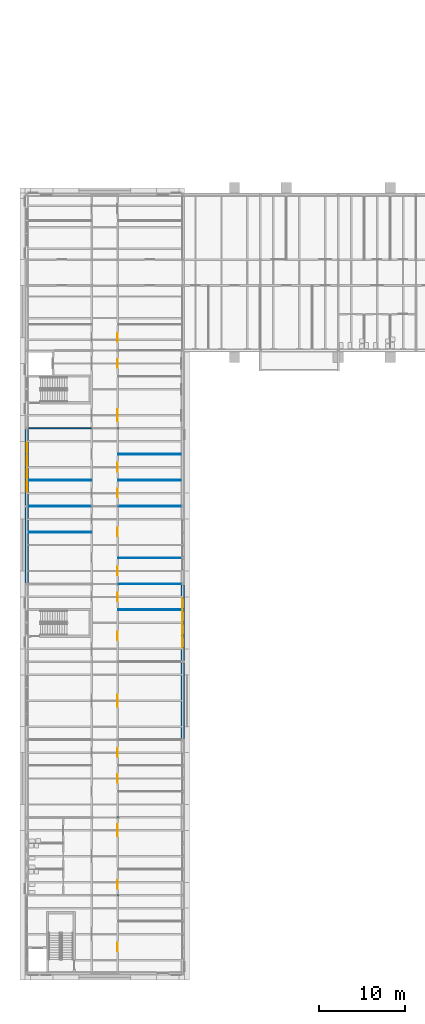
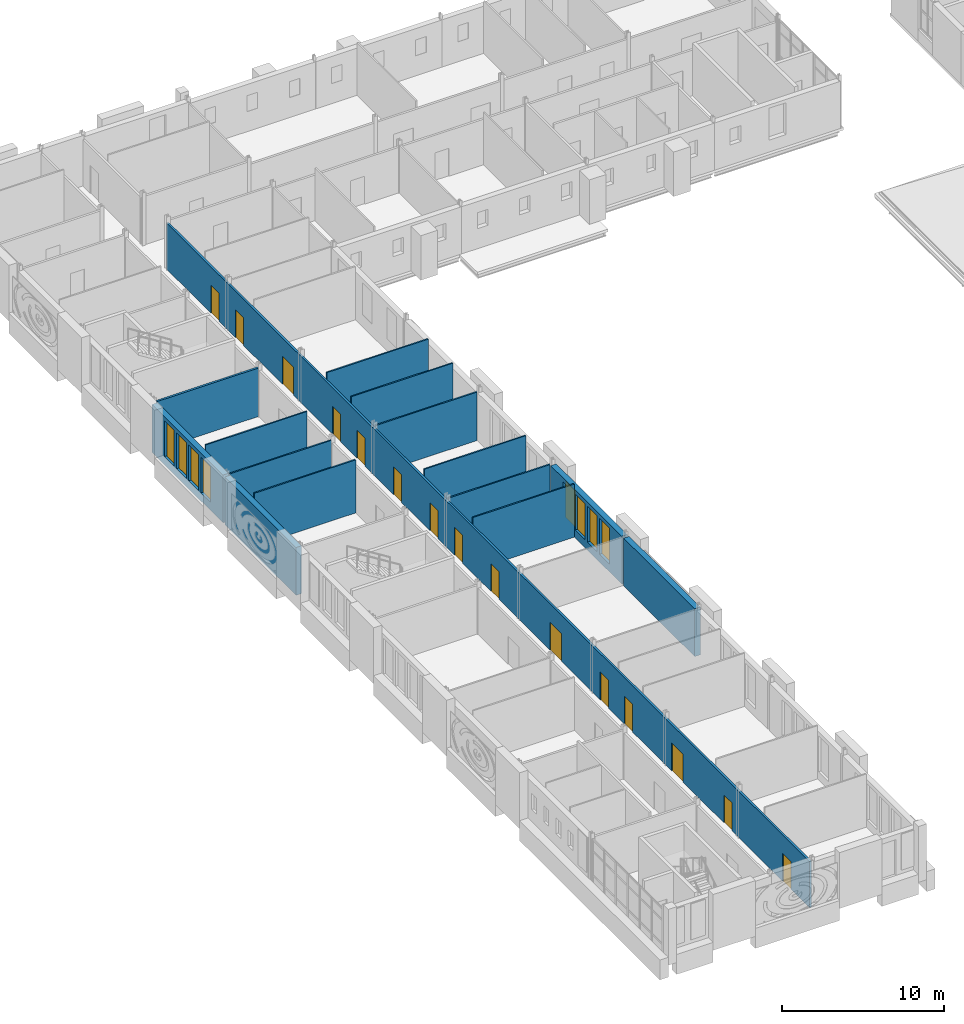
# One storey, part 89 of 121: 15 doors, 15 walls, 8 windows, 23 openings.
"""IFC4 building model written with IfcOpenShell, lengths in metres."""

from ifc_helpers import new_model, si_unit, direction, frame, frame_2d, origin, place, context, subcontext, project, spatial, rectangle, extrude, material, layer, layer_set, type_object, element, fill, save


model = new_model("IFC4")

# Units and contexts
model_context = context("Model", 3, precision=1e-05, world=origin(), true_north=direction((0.0, 1.0)))
body_context = subcontext(model_context, "Body", "Model", "MODEL_VIEW")
ifc_project = project(units=[si_unit("LENGTHUNIT", "METRE"), si_unit("AREAUNIT", "SQUARE_METRE"), si_unit("VOLUMEUNIT", "CUBIC_METRE"), si_unit("PLANEANGLEUNIT", "RADIAN"), si_unit("MASSUNIT", "GRAM", prefix="KILO")], contexts=[model_context])

# Site, building, storey
site_placement = place(None, origin())
site = spatial("IfcSite", under=ifc_project, at=site_placement, CompositionType="ELEMENT")
building_placement = place(site_placement, origin())
building = spatial("IfcBuilding", under=site, at=building_placement, Name="Golden Quay Civic Hall", CompositionType="ELEMENT")
storey_placement = place(building_placement, frame((0.0, 0.0, 18.60009765625)))
storey = spatial("IfcBuildingStorey", under=building, at=storey_placement, Name="L04", CompositionType="ELEMENT", Elevation=18.60009765625)

# Walls
ifc_material_1 = material(Name="Plasterboard on steel studs", Category="steel")
ifc_layer_1 = layer(ifc_material_1, 0.10009765625)
ifc_layer_set_1 = layer_set([ifc_layer_1], Name="Partition 100 stud")
wall_type_1 = type_object("IfcWallType", Name="Partition 100 stud", PredefinedType="PARTITIONING", material=ifc_layer_set_1)
wall_1_placement = place(storey_placement, frame((0.199951171875, 42.0, 0.0), z_axis=(0.0, 0.0, 1.0), x_axis=(1.0, 0.0, 0.0)))
element("IfcWall", 1, at=wall_1_placement, inside=storey, type_object=wall_type_1, Name="Partition L04-005", PredefinedType="PARTITIONING", context=body_context, shape_type="SweptSolid", body=[
    extrude(rectangle(XDim=7.22509765625, YDim=0.10009765625, at=frame_2d((3.612548828125, 0.0))), origin(), (0.0, 0.0, 1.0), 4.0),
])
wall_2_placement = place(storey_placement, frame((0.199951171875, 45.0, 0.0), z_axis=(0.0, 0.0, 1.0), x_axis=(1.0, 0.0, 0.0)))
element("IfcWall", 2, at=wall_2_placement, inside=storey, type_object=wall_type_1, Name="Partition L04-006", PredefinedType="PARTITIONING", context=body_context, shape_type="SweptSolid", body=[
    extrude(rectangle(XDim=7.22509765625, YDim=0.10009765625, at=frame_2d((3.612548828125, 0.0))), origin(), (0.0, 0.0, 1.0), 3.64990234375),
])
for number, where, z_axis, x_axis, name in (
    (3, (0.199951171875, 48.0, 0.0), (0.0, 0.0, 1.0), (1.0, 0.0, 0.0), "Partition L04-007"),
    (4, (10.574951171875, 33.0, 0.0), (0.0, 0.0, 1.0), (1.0, 0.0, 0.0), "Partition L04-015"),
):
    element("IfcWall", number, at=place(storey_placement, frame(where, z_axis=z_axis, x_axis=x_axis)), inside=storey, type_object=wall_type_1, Name=name, PredefinedType="PARTITIONING", context=body_context, shape_type="SweptSolid", body=[
        extrude(rectangle(XDim=7.22509765625, YDim=0.10009765625, at=frame_2d((3.612548828125, 0.0))), origin(), (0.0, 0.0, 1.0), 4.0),
    ])
wall_3_placement = place(storey_placement, frame((10.574951171875, 36.0, 0.0), z_axis=(0.0, 0.0, 1.0), x_axis=(1.0, 0.0, 0.0)))
element("IfcWall", 5, at=wall_3_placement, inside=storey, type_object=wall_type_1, Name="Partition L04-016", PredefinedType="PARTITIONING", context=body_context, shape_type="SweptSolid", body=[
    extrude(rectangle(XDim=7.22509765625, YDim=0.10009765625, at=frame_2d((3.612548828125, 0.0))), origin(), (0.0, 0.0, 1.0), 3.64990234375),
])
wall_4_placement = place(storey_placement, frame((10.574951171875, 39.0, 0.0), z_axis=(0.0, 0.0, 1.0), x_axis=(1.0, 0.0, 0.0)))
element("IfcWall", 6, at=wall_4_placement, inside=storey, type_object=wall_type_1, Name="Partition L04-017", PredefinedType="PARTITIONING", context=body_context, shape_type="SweptSolid", body=[
    extrude(rectangle(XDim=7.22509765625, YDim=0.10009765625, at=frame_2d((3.612548828125, 0.0))), origin(), (0.0, 0.0, 1.0), 4.0),
])
wall_5_placement = place(storey_placement, frame((10.574951171875, 45.0, 0.0), z_axis=(0.0, 0.0, 1.0), x_axis=(1.0, 0.0, 0.0)))
element("IfcWall", 7, at=wall_5_placement, inside=storey, type_object=wall_type_1, Name="Partition L04-018", PredefinedType="PARTITIONING", context=body_context, shape_type="SweptSolid", body=[
    extrude(rectangle(XDim=7.22509765625, YDim=0.10009765625, at=frame_2d((3.612548828125, 0.0))), origin(), (0.0, 0.0, 1.0), 3.64990234375),
])
for number, where, z_axis, x_axis, name in (
    (8, (10.574951171875, 48.0, 0.0), (0.0, 0.0, 1.0), (1.0, 0.0, 0.0), "Partition L04-019"),
    (9, (10.574951171875, 51.0, 0.0), (0.0, 0.0, 1.0), (1.0, 0.0, 0.0), "Partition L04-020"),
):
    element("IfcWall", number, at=place(storey_placement, frame(where, z_axis=z_axis, x_axis=x_axis)), inside=storey, type_object=wall_type_1, Name=name, PredefinedType="PARTITIONING", context=body_context, shape_type="SweptSolid", body=[
        extrude(rectangle(XDim=7.22509765625, YDim=0.10009765625, at=frame_2d((3.612548828125, 0.0))), origin(), (0.0, 0.0, 1.0), 4.0),
    ])
ifc_material_2 = material(Name="Plasterboard on steel studs", Category="steel")
ifc_layer_2 = layer(ifc_material_2, 0.14990234375)
ifc_layer_set_2 = layer_set([ifc_layer_2], Name="Partition 150 stud fire EI 60")
wall_type_2 = type_object("IfcWallType", Name="Partition 150 stud fire EI 60", PredefinedType="PARTITIONING", material=ifc_layer_set_2)
wall_6_placement = place(storey_placement, frame((0.199951171875, 54.0, 0.0), z_axis=(0.0, 0.0, 1.0), x_axis=(1.0, 0.0, 0.0)))
element("IfcWall", 10, at=wall_6_placement, inside=storey, type_object=wall_type_2, Name="Partition L04-008", PredefinedType="PARTITIONING", context=body_context, shape_type="SweptSolid", body=[
    extrude(rectangle(XDim=7.22509765625, YDim=0.14990234375, at=frame_2d((3.612548828125, 0.0))), origin(), (0.0, 0.0, 1.0), 3.64990234375),
])

# Wall, openings, doors
wall_7_placement = place(storey_placement, frame((10.5, -8.800048828125, 0.0), z_axis=(0.0, 0.0, 1.0), x_axis=(0.0, 1.0, 0.0)))
wall_7 = element("IfcWall", 11, at=wall_7_placement, inside=storey, type_object=wall_type_2, Name="Partition L04-026", PredefinedType="PARTITIONING", context=body_context, shape_type="SweptSolid", body=[
    extrude(rectangle(XDim=79.300048828125, YDim=0.14990234375, at=frame_2d((39.64990234375, 0.0))), origin(), (0.0, 0.0, 1.0), 3.47998046875),
])
opening_1_placement = place(wall_7_placement, frame((2.300048828125, 0.0, 0.0)))
opening_1 = element("IfcOpeningElement", 12, at=opening_1_placement, cuts=wall_7, Name="Opening L04-D008", PredefinedType="OPENING", context=body_context, shape_type="SweptSolid", body=[
    extrude(rectangle(XDim=1.0, YDim=2.10009765625, at=frame_2d((0.5, 1.050048828125))), frame((0.0, 0.0849609375, 0.0), z_axis=(0.0, -1.0, 0.0), x_axis=(1.0, 0.0, 0.0)), (0.0, 0.0, 1.0), 0.169921875),
])
opening_2_placement = place(wall_7_placement, frame((9.550048828125, 0.0, 0.0)))
opening_2 = element("IfcOpeningElement", 13, at=opening_2_placement, cuts=wall_7, Name="Opening L04-D009", PredefinedType="OPENING", context=body_context, shape_type="SweptSolid", body=[
    extrude(rectangle(XDim=1.0, YDim=2.10009765625, at=frame_2d((0.5, 1.050048828125))), frame((0.0, 0.0849609375, 0.0), z_axis=(0.0, -1.0, 0.0), x_axis=(1.0, 0.0, 0.0)), (0.0, 0.0, 1.0), 0.169921875),
])
opening_3_placement = place(wall_7_placement, frame((15.60009765625, 0.0, 0.0)))
opening_3 = element("IfcOpeningElement", 14, at=opening_3_placement, cuts=wall_7, Name="Opening L04-D010", PredefinedType="OPENING", context=body_context, shape_type="SweptSolid", body=[
    extrude(rectangle(XDim=1.39990234375, YDim=2.10009765625, at=frame_2d((0.699951171875, 1.050048828125))), frame((0.0, 0.0849609375, 0.0), z_axis=(0.0, -1.0, 0.0), x_axis=(1.0, 0.0, 0.0)), (0.0, 0.0, 1.0), 0.169921875),
])
opening_4_placement = place(wall_7_placement, frame((21.800048828125, 0.0, 0.0)))
opening_4 = element("IfcOpeningElement", 15, at=opening_4_placement, cuts=wall_7, Name="Opening L04-D011", PredefinedType="OPENING", context=body_context, shape_type="SweptSolid", body=[
    extrude(rectangle(XDim=1.0, YDim=2.10009765625, at=frame_2d((0.5, 1.050048828125))), frame((0.0, 0.0849609375, 0.0), z_axis=(0.0, -1.0, 0.0), x_axis=(1.0, 0.0, 0.0)), (0.0, 0.0, 1.0), 0.169921875),
])
opening_5_placement = place(wall_7_placement, frame((24.800048828125, 0.0, 0.0)))
opening_5 = element("IfcOpeningElement", 16, at=opening_5_placement, cuts=wall_7, Name="Opening L04-D012", PredefinedType="OPENING", context=body_context, shape_type="SweptSolid", body=[
    extrude(rectangle(XDim=1.0, YDim=2.10009765625, at=frame_2d((0.5, 1.050048828125))), frame((0.0, 0.0849609375, 0.0), z_axis=(0.0, -1.0, 0.0), x_axis=(1.0, 0.0, 0.0)), (0.0, 0.0, 1.0), 0.169921875),
])
opening_6_placement = place(wall_7_placement, frame((30.60009765625, 0.0, 0.0)))
opening_6 = element("IfcOpeningElement", 17, at=opening_6_placement, cuts=wall_7, Name="Opening L04-D013", PredefinedType="OPENING", context=body_context, shape_type="SweptSolid", body=[
    extrude(rectangle(XDim=1.39990234375, YDim=2.10009765625, at=frame_2d((0.699951171875, 1.050048828125))), frame((0.0, 0.0849609375, 0.0), z_axis=(0.0, -1.0, 0.0), x_axis=(1.0, 0.0, 0.0)), (0.0, 0.0, 1.0), 0.169921875),
])
opening_7_placement = place(wall_7_placement, frame((38.300048828125, 0.0, 0.0)))
opening_7 = element("IfcOpeningElement", 18, at=opening_7_placement, cuts=wall_7, Name="Opening L04-D014", PredefinedType="OPENING", context=body_context, shape_type="SweptSolid", body=[
    extrude(rectangle(XDim=1.0, YDim=2.10009765625, at=frame_2d((0.5, 1.050048828125))), frame((0.0, 0.0849609375, 0.0), z_axis=(0.0, -1.0, 0.0), x_axis=(1.0, 0.0, 0.0)), (0.0, 0.0, 1.0), 0.169921875),
])
opening_8_placement = place(wall_7_placement, frame((42.800048828125, 0.0, 0.0)))
opening_8 = element("IfcOpeningElement", 19, at=opening_8_placement, cuts=wall_7, Name="Opening L04-D015", PredefinedType="OPENING", context=body_context, shape_type="SweptSolid", body=[
    extrude(rectangle(XDim=1.0, YDim=2.10009765625, at=frame_2d((0.5, 1.050048828125))), frame((0.0, 0.0849609375, 0.0), z_axis=(0.0, -1.0, 0.0), x_axis=(1.0, 0.0, 0.0)), (0.0, 0.0, 1.0), 0.169921875),
])
opening_9_placement = place(wall_7_placement, frame((45.800048828125, 0.0, 0.0)))
opening_9 = element("IfcOpeningElement", 20, at=opening_9_placement, cuts=wall_7, Name="Opening L04-D016", PredefinedType="OPENING", context=body_context, shape_type="SweptSolid", body=[
    extrude(rectangle(XDim=1.0, YDim=2.10009765625, at=frame_2d((0.5, 1.050048828125))), frame((0.0, 0.0849609375, 0.0), z_axis=(0.0, -1.0, 0.0), x_axis=(1.0, 0.0, 0.0)), (0.0, 0.0, 1.0), 0.169921875),
])
opening_10_placement = place(wall_7_placement, frame((50.300048828125, 0.0, 0.0)))
opening_10 = element("IfcOpeningElement", 21, at=opening_10_placement, cuts=wall_7, Name="Opening L04-D017", PredefinedType="OPENING", context=body_context, shape_type="SweptSolid", body=[
    extrude(rectangle(XDim=1.0, YDim=2.10009765625, at=frame_2d((0.5, 1.050048828125))), frame((0.0, 0.0849609375, 0.0), z_axis=(0.0, -1.0, 0.0), x_axis=(1.0, 0.0, 0.0)), (0.0, 0.0, 1.0), 0.169921875),
])
opening_11_placement = place(wall_7_placement, frame((54.800048828125, 0.0, 0.0)))
opening_11 = element("IfcOpeningElement", 22, at=opening_11_placement, cuts=wall_7, Name="Opening L04-D018", PredefinedType="OPENING", context=body_context, shape_type="SweptSolid", body=[
    extrude(rectangle(XDim=1.0, YDim=2.10009765625, at=frame_2d((0.5, 1.050048828125))), frame((0.0, 0.0849609375, 0.0), z_axis=(0.0, -1.0, 0.0), x_axis=(1.0, 0.0, 0.0)), (0.0, 0.0, 1.0), 0.169921875),
])
opening_12_placement = place(wall_7_placement, frame((57.800048828125, 0.0, 0.0)))
opening_12 = element("IfcOpeningElement", 23, at=opening_12_placement, cuts=wall_7, Name="Opening L04-D019", PredefinedType="OPENING", context=body_context, shape_type="SweptSolid", body=[
    extrude(rectangle(XDim=1.0, YDim=2.10009765625, at=frame_2d((0.5, 1.050048828125))), frame((0.0, 0.0849609375, 0.0), z_axis=(0.0, -1.0, 0.0), x_axis=(1.0, 0.0, 0.0)), (0.0, 0.0, 1.0), 0.169921875),
])
opening_13_placement = place(wall_7_placement, frame((63.60009765625, 0.0, 0.0)))
opening_13 = element("IfcOpeningElement", 24, at=opening_13_placement, cuts=wall_7, Name="Opening L04-D020", PredefinedType="OPENING", context=body_context, shape_type="SweptSolid", body=[
    extrude(rectangle(XDim=1.39990234375, YDim=2.10009765625, at=frame_2d((0.699951171875, 1.050048828125))), frame((0.0, 0.0849609375, 0.0), z_axis=(0.0, -1.0, 0.0), x_axis=(1.0, 0.0, 0.0)), (0.0, 0.0, 1.0), 0.169921875),
])
opening_14_placement = place(wall_7_placement, frame((69.800048828125, 0.0, 0.0)))
opening_14 = element("IfcOpeningElement", 25, at=opening_14_placement, cuts=wall_7, Name="Opening L04-D021", PredefinedType="OPENING", context=body_context, shape_type="SweptSolid", body=[
    extrude(rectangle(XDim=1.0, YDim=2.10009765625, at=frame_2d((0.5, 1.050048828125))), frame((0.0, 0.0849609375, 0.0), z_axis=(0.0, -1.0, 0.0), x_axis=(1.0, 0.0, 0.0)), (0.0, 0.0, 1.0), 0.169921875),
])
opening_15_placement = place(wall_7_placement, frame((72.800048828125, 0.0, 0.0)))
opening_15 = element("IfcOpeningElement", 26, at=opening_15_placement, cuts=wall_7, Name="Opening L04-D036", PredefinedType="OPENING", context=body_context, shape_type="SweptSolid", body=[
    extrude(rectangle(XDim=1.0, YDim=2.10009765625, at=frame_2d((0.5, 1.050048828125))), frame((0.0, 0.0849609375, 0.0), z_axis=(0.0, -1.0, 0.0), x_axis=(1.0, 0.0, 0.0)), (0.0, 0.0, 1.0), 0.169921875),
])
ifc_material_3 = material(Name="Steel", Category="steel")
door_type_1 = type_object("IfcDoorType", Name="Steel double fire door FD30S 1400 x 2100", OperationType="DOUBLE_DOOR_SINGLE_SWING", PredefinedType="DOOR", material=ifc_material_3)
door_1_placement = place(opening_3_placement, frame((1.39990234375, 0.0, 0.0), z_axis=(0.0, 0.0, 1.0), x_axis=(-1.0, 0.0, 0.0)))
door_1 = element("IfcDoor", 27, at=door_1_placement, inside=storey, type_object=door_type_1, Name="Door L04-D010", OperationType="DOUBLE_DOOR_SINGLE_SWING", OverallHeight=2.10009765625, OverallWidth=1.39990234375, PredefinedType="DOOR", context=body_context, shape_type="SweptSolid", body=[
    extrude(rectangle(XDim=1.39990234375, YDim=2.10009765625, at=frame_2d((0.699951171875, 1.050048828125))), frame((0.0, 0.025146484375, 0.0), z_axis=(0.0, -1.0, 0.0), x_axis=(1.0, 0.0, 0.0)), (0.0, 0.0, 1.0), 0.050048828125),
])
fill(opening_3, door_1)
door_2_placement = place(opening_6_placement, frame((1.39990234375, 0.0, 0.0), z_axis=(0.0, 0.0, 1.0), x_axis=(-1.0, 0.0, 0.0)))
door_2 = element("IfcDoor", 28, at=door_2_placement, inside=storey, type_object=door_type_1, Name="Door L04-D013", OperationType="DOUBLE_DOOR_SINGLE_SWING", OverallHeight=2.10009765625, OverallWidth=1.39990234375, PredefinedType="DOOR", context=body_context, shape_type="SweptSolid", body=[
    extrude(rectangle(XDim=1.39990234375, YDim=2.10009765625, at=frame_2d((0.699951171875, 1.050048828125))), frame((0.0, 0.025146484375, 0.0), z_axis=(0.0, -1.0, 0.0), x_axis=(1.0, 0.0, 0.0)), (0.0, 0.0, 1.0), 0.050048828125),
])
fill(opening_6, door_2)
door_3_placement = place(opening_13_placement, frame((1.39990234375, 0.0, 0.0), z_axis=(0.0, 0.0, 1.0), x_axis=(-1.0, 0.0, 0.0)))
door_3 = element("IfcDoor", 29, at=door_3_placement, inside=storey, type_object=door_type_1, Name="Door L04-D020", OperationType="DOUBLE_DOOR_SINGLE_SWING", OverallHeight=2.10009765625, OverallWidth=1.39990234375, PredefinedType="DOOR", context=body_context, shape_type="SweptSolid", body=[
    extrude(rectangle(XDim=1.39990234375, YDim=2.10009765625, at=frame_2d((0.699951171875, 1.050048828125))), frame((0.0, 0.025146484375, 0.0), z_axis=(0.0, -1.0, 0.0), x_axis=(1.0, 0.0, 0.0)), (0.0, 0.0, 1.0), 0.050048828125),
])
fill(opening_13, door_3)
ifc_material_4 = material(Name="Steel", Category="steel")
door_type_2 = type_object("IfcDoorType", Name="Steel fire door FD30S 1000 x 2100", OperationType="SINGLE_SWING_LEFT", PredefinedType="DOOR", material=ifc_material_4)
door_4_placement = place(opening_1_placement, frame((1.0, 0.0, 0.0), z_axis=(0.0, 0.0, 1.0), x_axis=(-1.0, 0.0, 0.0)))
door_4 = element("IfcDoor", 30, at=door_4_placement, inside=storey, type_object=door_type_2, Name="Door L04-D008", OperationType="SINGLE_SWING_RIGHT", OverallHeight=2.10009765625, OverallWidth=1.0, PredefinedType="DOOR", context=body_context, shape_type="SweptSolid", body=[
    extrude(rectangle(XDim=1.0, YDim=2.10009765625, at=frame_2d((0.5, 1.050048828125))), frame((0.0, 0.025146484375, 0.0), z_axis=(0.0, -1.0, 0.0), x_axis=(1.0, 0.0, 0.0)), (0.0, 0.0, 1.0), 0.050048828125),
])
fill(opening_1, door_4)
door_5_placement = place(opening_2_placement, frame((1.0, 0.0, 0.0), z_axis=(0.0, 0.0, 1.0), x_axis=(-1.0, 0.0, 0.0)))
door_5 = element("IfcDoor", 31, at=door_5_placement, inside=storey, type_object=door_type_2, Name="Door L04-D009", OperationType="SINGLE_SWING_RIGHT", OverallHeight=2.10009765625, OverallWidth=1.0, PredefinedType="DOOR", context=body_context, shape_type="SweptSolid", body=[
    extrude(rectangle(XDim=1.0, YDim=2.10009765625, at=frame_2d((0.5, 1.050048828125))), frame((0.0, 0.025146484375, 0.0), z_axis=(0.0, -1.0, 0.0), x_axis=(1.0, 0.0, 0.0)), (0.0, 0.0, 1.0), 0.050048828125),
])
fill(opening_2, door_5)
door_6_placement = place(opening_4_placement, frame((1.0, 0.0, 0.0), z_axis=(0.0, 0.0, 1.0), x_axis=(-1.0, 0.0, 0.0)))
door_6 = element("IfcDoor", 32, at=door_6_placement, inside=storey, type_object=door_type_2, Name="Door L04-D011", OperationType="SINGLE_SWING_RIGHT", OverallHeight=2.10009765625, OverallWidth=1.0, PredefinedType="DOOR", context=body_context, shape_type="SweptSolid", body=[
    extrude(rectangle(XDim=1.0, YDim=2.10009765625, at=frame_2d((0.5, 1.050048828125))), frame((0.0, 0.025146484375, 0.0), z_axis=(0.0, -1.0, 0.0), x_axis=(1.0, 0.0, 0.0)), (0.0, 0.0, 1.0), 0.050048828125),
])
fill(opening_4, door_6)
door_7_placement = place(opening_5_placement, frame((1.0, 0.0, 0.0), z_axis=(0.0, 0.0, 1.0), x_axis=(-1.0, 0.0, 0.0)))
door_7 = element("IfcDoor", 33, at=door_7_placement, inside=storey, type_object=door_type_2, Name="Door L04-D012", OperationType="SINGLE_SWING_RIGHT", OverallHeight=2.10009765625, OverallWidth=1.0, PredefinedType="DOOR", context=body_context, shape_type="SweptSolid", body=[
    extrude(rectangle(XDim=1.0, YDim=2.10009765625, at=frame_2d((0.5, 1.050048828125))), frame((0.0, 0.025146484375, 0.0), z_axis=(0.0, -1.0, 0.0), x_axis=(1.0, 0.0, 0.0)), (0.0, 0.0, 1.0), 0.050048828125),
])
fill(opening_5, door_7)
door_8_placement = place(opening_7_placement, frame((1.0, 0.0, 0.0), z_axis=(0.0, 0.0, 1.0), x_axis=(-1.0, 0.0, 0.0)))
door_8 = element("IfcDoor", 34, at=door_8_placement, inside=storey, type_object=door_type_2, Name="Door L04-D014", OperationType="SINGLE_SWING_RIGHT", OverallHeight=2.10009765625, OverallWidth=1.0, PredefinedType="DOOR", context=body_context, shape_type="SweptSolid", body=[
    extrude(rectangle(XDim=1.0, YDim=2.10009765625, at=frame_2d((0.5, 1.050048828125))), frame((0.0, 0.025146484375, 0.0), z_axis=(0.0, -1.0, 0.0), x_axis=(1.0, 0.0, 0.0)), (0.0, 0.0, 1.0), 0.050048828125),
])
fill(opening_7, door_8)
door_9_placement = place(opening_8_placement, frame((1.0, 0.0, 0.0), z_axis=(0.0, 0.0, 1.0), x_axis=(-1.0, 0.0, 0.0)))
door_9 = element("IfcDoor", 35, at=door_9_placement, inside=storey, type_object=door_type_2, Name="Door L04-D015", OperationType="SINGLE_SWING_RIGHT", OverallHeight=2.10009765625, OverallWidth=1.0, PredefinedType="DOOR", context=body_context, shape_type="SweptSolid", body=[
    extrude(rectangle(XDim=1.0, YDim=2.10009765625, at=frame_2d((0.5, 1.050048828125))), frame((0.0, 0.025146484375, 0.0), z_axis=(0.0, -1.0, 0.0), x_axis=(1.0, 0.0, 0.0)), (0.0, 0.0, 1.0), 0.050048828125),
])
fill(opening_8, door_9)
door_10_placement = place(opening_9_placement, frame((1.0, 0.0, 0.0), z_axis=(0.0, 0.0, 1.0), x_axis=(-1.0, 0.0, 0.0)))
door_10 = element("IfcDoor", 36, at=door_10_placement, inside=storey, type_object=door_type_2, Name="Door L04-D016", OperationType="SINGLE_SWING_RIGHT", OverallHeight=2.10009765625, OverallWidth=1.0, PredefinedType="DOOR", context=body_context, shape_type="SweptSolid", body=[
    extrude(rectangle(XDim=1.0, YDim=2.10009765625, at=frame_2d((0.5, 1.050048828125))), frame((0.0, 0.025146484375, 0.0), z_axis=(0.0, -1.0, 0.0), x_axis=(1.0, 0.0, 0.0)), (0.0, 0.0, 1.0), 0.050048828125),
])
fill(opening_9, door_10)
door_11_placement = place(opening_10_placement, frame((1.0, 0.0, 0.0), z_axis=(0.0, 0.0, 1.0), x_axis=(-1.0, 0.0, 0.0)))
door_11 = element("IfcDoor", 37, at=door_11_placement, inside=storey, type_object=door_type_2, Name="Door L04-D017", OperationType="SINGLE_SWING_RIGHT", OverallHeight=2.10009765625, OverallWidth=1.0, PredefinedType="DOOR", context=body_context, shape_type="SweptSolid", body=[
    extrude(rectangle(XDim=1.0, YDim=2.10009765625, at=frame_2d((0.5, 1.050048828125))), frame((0.0, 0.025146484375, 0.0), z_axis=(0.0, -1.0, 0.0), x_axis=(1.0, 0.0, 0.0)), (0.0, 0.0, 1.0), 0.050048828125),
])
fill(opening_10, door_11)
door_12_placement = place(opening_11_placement, frame((1.0, 0.0, 0.0), z_axis=(0.0, 0.0, 1.0), x_axis=(-1.0, 0.0, 0.0)))
door_12 = element("IfcDoor", 38, at=door_12_placement, inside=storey, type_object=door_type_2, Name="Door L04-D018", OperationType="SINGLE_SWING_RIGHT", OverallHeight=2.10009765625, OverallWidth=1.0, PredefinedType="DOOR", context=body_context, shape_type="SweptSolid", body=[
    extrude(rectangle(XDim=1.0, YDim=2.10009765625, at=frame_2d((0.5, 1.050048828125))), frame((0.0, 0.025146484375, 0.0), z_axis=(0.0, -1.0, 0.0), x_axis=(1.0, 0.0, 0.0)), (0.0, 0.0, 1.0), 0.050048828125),
])
fill(opening_11, door_12)
door_13_placement = place(opening_12_placement, frame((1.0, 0.0, 0.0), z_axis=(0.0, 0.0, 1.0), x_axis=(-1.0, 0.0, 0.0)))
door_13 = element("IfcDoor", 39, at=door_13_placement, inside=storey, type_object=door_type_2, Name="Door L04-D019", OperationType="SINGLE_SWING_RIGHT", OverallHeight=2.10009765625, OverallWidth=1.0, PredefinedType="DOOR", context=body_context, shape_type="SweptSolid", body=[
    extrude(rectangle(XDim=1.0, YDim=2.10009765625, at=frame_2d((0.5, 1.050048828125))), frame((0.0, 0.025146484375, 0.0), z_axis=(0.0, -1.0, 0.0), x_axis=(1.0, 0.0, 0.0)), (0.0, 0.0, 1.0), 0.050048828125),
])
fill(opening_12, door_13)
door_14_placement = place(opening_14_placement, frame((1.0, 0.0, 0.0), z_axis=(0.0, 0.0, 1.0), x_axis=(-1.0, 0.0, 0.0)))
door_14 = element("IfcDoor", 40, at=door_14_placement, inside=storey, type_object=door_type_2, Name="Door L04-D021", OperationType="SINGLE_SWING_RIGHT", OverallHeight=2.10009765625, OverallWidth=1.0, PredefinedType="DOOR", context=body_context, shape_type="SweptSolid", body=[
    extrude(rectangle(XDim=1.0, YDim=2.10009765625, at=frame_2d((0.5, 1.050048828125))), frame((0.0, 0.025146484375, 0.0), z_axis=(0.0, -1.0, 0.0), x_axis=(1.0, 0.0, 0.0)), (0.0, 0.0, 1.0), 0.050048828125),
])
fill(opening_14, door_14)
door_15_placement = place(opening_15_placement, frame((1.0, 0.0, 0.0), z_axis=(0.0, 0.0, 1.0), x_axis=(-1.0, 0.0, 0.0)))
door_15 = element("IfcDoor", 41, at=door_15_placement, inside=storey, type_object=door_type_2, Name="Door L04-D036", OperationType="SINGLE_SWING_RIGHT", OverallHeight=2.10009765625, OverallWidth=1.0, PredefinedType="DOOR", context=body_context, shape_type="SweptSolid", body=[
    extrude(rectangle(XDim=1.0, YDim=2.10009765625, at=frame_2d((0.5, 1.050048828125))), frame((0.0, 0.025146484375, 0.0), z_axis=(0.0, -1.0, 0.0), x_axis=(1.0, 0.0, 0.0)), (0.0, 0.0, 1.0), 0.050048828125),
])
fill(opening_15, door_15)

# Wall
ifc_material_5 = material(Name="Clay block, rendered, cream")
ifc_layer_3 = layer(ifc_material_5, 0.39990234375)
ifc_layer_set_3 = layer_set([ifc_layer_3], Name="Rendered block external wall 400")
wall_type_3 = type_object("IfcWallType", Name="Rendered block external wall 400", PredefinedType="STANDARD", material=ifc_layer_set_3)
wall_8_placement = place(storey_placement, frame((0.0, 36.114990234375, 0.0), z_axis=(0.0, 0.0, 1.0), x_axis=(0.0, 1.0, 0.0)))
element("IfcWall", 42, at=wall_8_placement, inside=storey, type_object=wall_type_3, Name="Rendered block external wall 400 L04 4", PredefinedType="STANDARD", context=body_context, shape_type="SweptSolid", body=[
    extrude(rectangle(XDim=8.77001953125, YDim=0.39990234375, at=frame_2d((4.385009765625, 0.0))), origin(), (0.0, 0.0, 1.0), 3.599853515625),
])

# Wall, openings, windows
wall_9_placement = place(storey_placement, frame((0.0, 45.114990234375, 0.0), z_axis=(0.0, 0.0, 1.0), x_axis=(0.0, 1.0, 0.0)))
wall_9 = element("IfcWall", 43, at=wall_9_placement, inside=storey, type_object=wall_type_3, Name="Rendered block external wall 400 L04 5", PredefinedType="STANDARD", context=body_context, shape_type="SweptSolid", body=[
    extrude(rectangle(XDim=8.77001953125, YDim=0.39990234375, at=frame_2d((4.385009765625, 0.0))), origin(), (0.0, 0.0, 1.0), 3.599853515625),
])
opening_16_placement = place(wall_9_placement, frame((1.534912109375, 0.0, 0.60009765625)))
opening_16 = element("IfcOpeningElement", 44, at=opening_16_placement, cuts=wall_9, Name="Opening WN8", PredefinedType="OPENING", context=body_context, shape_type="SweptSolid", body=[
    extrude(rectangle(XDim=1.199951171875, YDim=2.699951171875, at=frame_2d((0.60009765625, 1.35009765625))), frame((0.0, 0.2099609375, 0.0), z_axis=(0.0, -1.0, 0.0), x_axis=(1.0, 0.0, 0.0)), (0.0, 0.0, 1.0), 0.419921875),
])
opening_17_placement = place(wall_9_placement, frame((3.034912109375, 0.0, 0.60009765625)))
opening_17 = element("IfcOpeningElement", 45, at=opening_17_placement, cuts=wall_9, Name="Opening WN8", PredefinedType="OPENING", context=body_context, shape_type="SweptSolid", body=[
    extrude(rectangle(XDim=1.199951171875, YDim=2.699951171875, at=frame_2d((0.60009765625, 1.35009765625))), frame((0.0, 0.2099609375, 0.0), z_axis=(0.0, -1.0, 0.0), x_axis=(1.0, 0.0, 0.0)), (0.0, 0.0, 1.0), 0.419921875),
])
opening_18_placement = place(wall_9_placement, frame((4.534912109375, 0.0, 0.60009765625)))
opening_18 = element("IfcOpeningElement", 46, at=opening_18_placement, cuts=wall_9, Name="Opening WN8", PredefinedType="OPENING", context=body_context, shape_type="SweptSolid", body=[
    extrude(rectangle(XDim=1.199951171875, YDim=2.699951171875, at=frame_2d((0.60009765625, 1.35009765625))), frame((0.0, 0.2099609375, 0.0), z_axis=(0.0, -1.0, 0.0), x_axis=(1.0, 0.0, 0.0)), (0.0, 0.0, 1.0), 0.419921875),
])
opening_19_placement = place(wall_9_placement, frame((6.034912109375, 0.0, 0.60009765625)))
opening_19 = element("IfcOpeningElement", 47, at=opening_19_placement, cuts=wall_9, Name="Opening WN8", PredefinedType="OPENING", context=body_context, shape_type="SweptSolid", body=[
    extrude(rectangle(XDim=1.199951171875, YDim=2.699951171875, at=frame_2d((0.60009765625, 1.35009765625))), frame((0.0, 0.2099609375, 0.0), z_axis=(0.0, -1.0, 0.0), x_axis=(1.0, 0.0, 0.0)), (0.0, 0.0, 1.0), 0.419921875),
])
ifc_material_6 = material(Name="Aluminium frame, double glazed", Category="aluminium")
window_type = type_object("IfcWindowType", Name="Golden grid window 1200 x 2700", PartitioningType="SINGLE_PANEL", PredefinedType="WINDOW", material=ifc_material_6)
window_1_placement = place(opening_16_placement, origin())
window_1 = element("IfcWindow", 48, at=window_1_placement, inside=storey, type_object=window_type, Name="Golden grid window 1200 x 2700 L04 5", OverallHeight=2.699951171875, OverallWidth=1.199951171875, PartitioningType="SINGLE_PANEL", PredefinedType="WINDOW", context=body_context, shape_type="SweptSolid", body=[
    extrude(rectangle(XDim=1.199951171875, YDim=2.699951171875, at=frame_2d((0.60009765625, 1.35009765625))), frame((0.0, 0.030029296875, 0.0), z_axis=(0.0, -1.0, 0.0), x_axis=(1.0, 0.0, 0.0)), (0.0, 0.0, 1.0), 0.06005859375),
])
fill(opening_16, window_1)
window_2_placement = place(opening_17_placement, origin())
window_2 = element("IfcWindow", 49, at=window_2_placement, inside=storey, type_object=window_type, Name="Golden grid window 1200 x 2700 L04 6", OverallHeight=2.699951171875, OverallWidth=1.199951171875, PartitioningType="SINGLE_PANEL", PredefinedType="WINDOW", context=body_context, shape_type="SweptSolid", body=[
    extrude(rectangle(XDim=1.199951171875, YDim=2.699951171875, at=frame_2d((0.60009765625, 1.35009765625))), frame((0.0, 0.030029296875, 0.0), z_axis=(0.0, -1.0, 0.0), x_axis=(1.0, 0.0, 0.0)), (0.0, 0.0, 1.0), 0.06005859375),
])
fill(opening_17, window_2)
window_3_placement = place(opening_18_placement, origin())
window_3 = element("IfcWindow", 50, at=window_3_placement, inside=storey, type_object=window_type, Name="Golden grid window 1200 x 2700 L04 7", OverallHeight=2.699951171875, OverallWidth=1.199951171875, PartitioningType="SINGLE_PANEL", PredefinedType="WINDOW", context=body_context, shape_type="SweptSolid", body=[
    extrude(rectangle(XDim=1.199951171875, YDim=2.699951171875, at=frame_2d((0.60009765625, 1.35009765625))), frame((0.0, 0.030029296875, 0.0), z_axis=(0.0, -1.0, 0.0), x_axis=(1.0, 0.0, 0.0)), (0.0, 0.0, 1.0), 0.06005859375),
])
fill(opening_18, window_3)
window_4_placement = place(opening_19_placement, origin())
window_4 = element("IfcWindow", 51, at=window_4_placement, inside=storey, type_object=window_type, Name="Golden grid window 1200 x 2700 L04 8", OverallHeight=2.699951171875, OverallWidth=1.199951171875, PartitioningType="SINGLE_PANEL", PredefinedType="WINDOW", context=body_context, shape_type="SweptSolid", body=[
    extrude(rectangle(XDim=1.199951171875, YDim=2.699951171875, at=frame_2d((0.60009765625, 1.35009765625))), frame((0.0, 0.030029296875, 0.0), z_axis=(0.0, -1.0, 0.0), x_axis=(1.0, 0.0, 0.0)), (0.0, 0.0, 1.0), 0.06005859375),
])
fill(opening_19, window_4)

# Wall
wall_10_placement = place(storey_placement, frame((18.0, 26.885009765625, 0.0), z_axis=(0.0, 0.0, 1.0), x_axis=(0.0, -1.0, 0.0)))
element("IfcWall", 52, at=wall_10_placement, inside=storey, type_object=wall_type_3, Name="Rendered block external wall 400 L04 15", PredefinedType="STANDARD", context=body_context, shape_type="SweptSolid", body=[
    extrude(rectangle(XDim=8.77001953125, YDim=0.39990234375, at=frame_2d((4.385009765625, 0.0))), origin(), (0.0, 0.0, 1.0), 3.599853515625),
])

# Wall, openings, windows
wall_11_placement = place(storey_placement, frame((18.0, 35.885009765625, 0.0), z_axis=(0.0, 0.0, 1.0), x_axis=(0.0, -1.0, 0.0)))
wall_11 = element("IfcWall", 53, at=wall_11_placement, inside=storey, type_object=wall_type_3, Name="Rendered block external wall 400 L04 16", PredefinedType="STANDARD", context=body_context, shape_type="SweptSolid", body=[
    extrude(rectangle(XDim=8.77001953125, YDim=0.39990234375, at=frame_2d((4.385009765625, 0.0))), origin(), (0.0, 0.0, 1.0), 3.599853515625),
])
opening_20_placement = place(wall_11_placement, frame((6.034912109375, 0.0, 0.60009765625)))
opening_20 = element("IfcOpeningElement", 54, at=opening_20_placement, cuts=wall_11, Name="Opening WN8", PredefinedType="OPENING", context=body_context, shape_type="SweptSolid", body=[
    extrude(rectangle(XDim=1.199951171875, YDim=2.699951171875, at=frame_2d((0.60009765625, 1.35009765625))), frame((0.0, 0.2099609375, 0.0), z_axis=(0.0, -1.0, 0.0), x_axis=(1.0, 0.0, 0.0)), (0.0, 0.0, 1.0), 0.419921875),
])
opening_21_placement = place(wall_11_placement, frame((4.534912109375, 0.0, 0.60009765625)))
opening_21 = element("IfcOpeningElement", 55, at=opening_21_placement, cuts=wall_11, Name="Opening WN8", PredefinedType="OPENING", context=body_context, shape_type="SweptSolid", body=[
    extrude(rectangle(XDim=1.199951171875, YDim=2.699951171875, at=frame_2d((0.60009765625, 1.35009765625))), frame((0.0, 0.2099609375, 0.0), z_axis=(0.0, -1.0, 0.0), x_axis=(1.0, 0.0, 0.0)), (0.0, 0.0, 1.0), 0.419921875),
])
opening_22_placement = place(wall_11_placement, frame((3.034912109375, 0.0, 0.60009765625)))
opening_22 = element("IfcOpeningElement", 56, at=opening_22_placement, cuts=wall_11, Name="Opening WN8", PredefinedType="OPENING", context=body_context, shape_type="SweptSolid", body=[
    extrude(rectangle(XDim=1.199951171875, YDim=2.699951171875, at=frame_2d((0.60009765625, 1.35009765625))), frame((0.0, 0.2099609375, 0.0), z_axis=(0.0, -1.0, 0.0), x_axis=(1.0, 0.0, 0.0)), (0.0, 0.0, 1.0), 0.419921875),
])
opening_23_placement = place(wall_11_placement, frame((1.534912109375, 0.0, 0.60009765625)))
opening_23 = element("IfcOpeningElement", 57, at=opening_23_placement, cuts=wall_11, Name="Opening WN8", PredefinedType="OPENING", context=body_context, shape_type="SweptSolid", body=[
    extrude(rectangle(XDim=1.199951171875, YDim=2.699951171875, at=frame_2d((0.60009765625, 1.35009765625))), frame((0.0, 0.2099609375, 0.0), z_axis=(0.0, -1.0, 0.0), x_axis=(1.0, 0.0, 0.0)), (0.0, 0.0, 1.0), 0.419921875),
])
window_5_placement = place(opening_20_placement, origin())
window_5 = element("IfcWindow", 58, at=window_5_placement, inside=storey, type_object=window_type, Name="Golden grid window 1200 x 2700 L04 26", OverallHeight=2.699951171875, OverallWidth=1.199951171875, PartitioningType="SINGLE_PANEL", PredefinedType="WINDOW", context=body_context, shape_type="SweptSolid", body=[
    extrude(rectangle(XDim=1.199951171875, YDim=2.699951171875, at=frame_2d((0.60009765625, 1.35009765625))), frame((0.0, 0.030029296875, 0.0), z_axis=(0.0, -1.0, 0.0), x_axis=(1.0, 0.0, 0.0)), (0.0, 0.0, 1.0), 0.06005859375),
])
fill(opening_20, window_5)
window_6_placement = place(opening_21_placement, origin())
window_6 = element("IfcWindow", 59, at=window_6_placement, inside=storey, type_object=window_type, Name="Golden grid window 1200 x 2700 L04 27", OverallHeight=2.699951171875, OverallWidth=1.199951171875, PartitioningType="SINGLE_PANEL", PredefinedType="WINDOW", context=body_context, shape_type="SweptSolid", body=[
    extrude(rectangle(XDim=1.199951171875, YDim=2.699951171875, at=frame_2d((0.60009765625, 1.35009765625))), frame((0.0, 0.030029296875, 0.0), z_axis=(0.0, -1.0, 0.0), x_axis=(1.0, 0.0, 0.0)), (0.0, 0.0, 1.0), 0.06005859375),
])
fill(opening_21, window_6)
window_7_placement = place(opening_22_placement, origin())
window_7 = element("IfcWindow", 60, at=window_7_placement, inside=storey, type_object=window_type, Name="Golden grid window 1200 x 2700 L04 28", OverallHeight=2.699951171875, OverallWidth=1.199951171875, PartitioningType="SINGLE_PANEL", PredefinedType="WINDOW", context=body_context, shape_type="SweptSolid", body=[
    extrude(rectangle(XDim=1.199951171875, YDim=2.699951171875, at=frame_2d((0.60009765625, 1.35009765625))), frame((0.0, 0.030029296875, 0.0), z_axis=(0.0, -1.0, 0.0), x_axis=(1.0, 0.0, 0.0)), (0.0, 0.0, 1.0), 0.06005859375),
])
fill(opening_22, window_7)
window_8_placement = place(opening_23_placement, origin())
window_8 = element("IfcWindow", 61, at=window_8_placement, inside=storey, type_object=window_type, Name="Golden grid window 1200 x 2700 L04 29", OverallHeight=2.699951171875, OverallWidth=1.199951171875, PartitioningType="SINGLE_PANEL", PredefinedType="WINDOW", context=body_context, shape_type="SweptSolid", body=[
    extrude(rectangle(XDim=1.199951171875, YDim=2.699951171875, at=frame_2d((0.60009765625, 1.35009765625))), frame((0.0, 0.030029296875, 0.0), z_axis=(0.0, -1.0, 0.0), x_axis=(1.0, 0.0, 0.0)), (0.0, 0.0, 1.0), 0.06005859375),
])
fill(opening_23, window_8)

save(model, "model.ifc")
